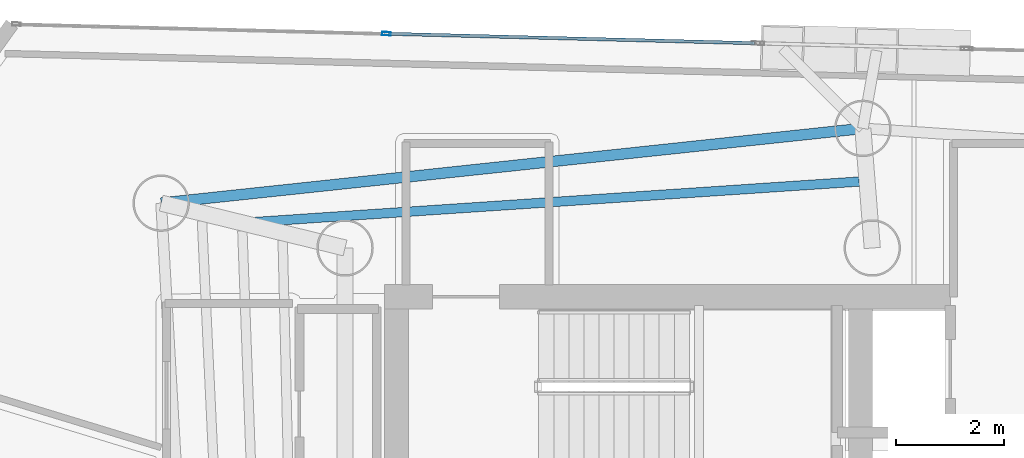
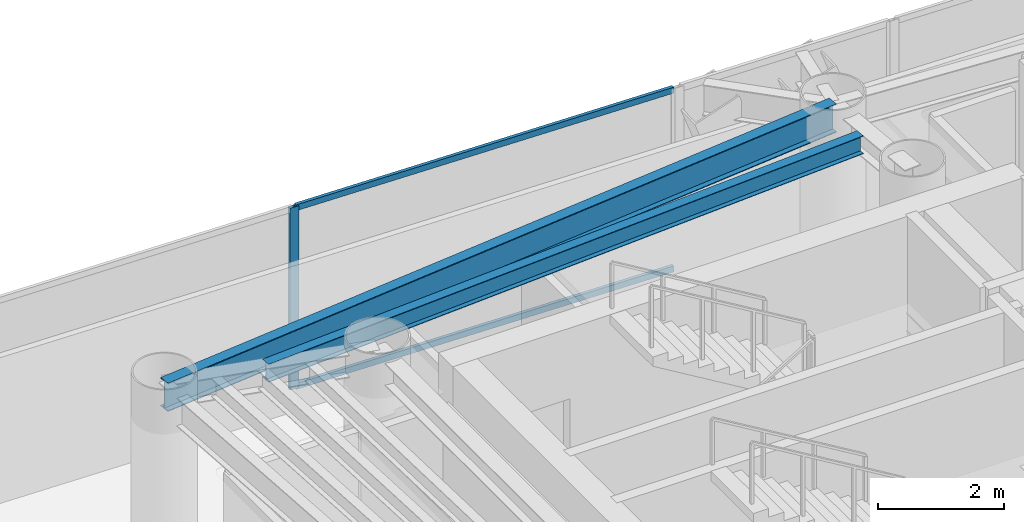
# One storey, part 9 of 21: 3 members, 2 beams, 1 element without a shape of its own.
"""IFC4 building model written with IfcOpenShell, lengths in metres."""

from ifc_helpers import new_model, si_unit, direction, frame, origin, origin_2d, place, context, subcontext, project, spatial, hollow_rectangle, i_section, extrude, material, layer, layer_set, material_profile, profile_set, type_object, element, aggregate, save


model = new_model("IFC4")

# Units and contexts
model_context = context("Model", 3, precision=1e-05, world=origin(), true_north=direction((0.0, 1.0)))
body_context = subcontext(model_context, "Body", "Model", "MODEL_VIEW")
ifc_project = project(units=[si_unit("LENGTHUNIT", "METRE"), si_unit("AREAUNIT", "SQUARE_METRE"), si_unit("VOLUMEUNIT", "CUBIC_METRE"), si_unit("PLANEANGLEUNIT", "RADIAN"), si_unit("MASSUNIT", "GRAM", prefix="KILO")], contexts=[model_context])

# Site, building, storey
site_placement = place(None, origin())
site = spatial("IfcSite", under=ifc_project, at=site_placement, CompositionType="ELEMENT")
building_placement = place(site_placement, origin())
building = spatial("IfcBuilding", under=site, at=building_placement, Name="Qianvela Tower", CompositionType="ELEMENT")
storey_placement = place(building_placement, frame((0.0, 0.0, 246.39990234375)))
storey = spatial("IfcBuildingStorey", under=building, at=storey_placement, Name="L63", CompositionType="ELEMENT", Elevation=246.39990234375)

# Beams
ifc_material_1 = material(Name="Steel Q355B", Category="steel")
ifc_material_profile_1 = material_profile(ifc_material_1, i_section(OverallWidth=0.175048828125, OverallDepth=0.35009765625, WebThickness=0.007080078125, FlangeThickness=0.010986328125, at=origin_2d()), Name="HN350x175x7x11")
ifc_profile_set_1 = profile_set([ifc_material_profile_1], Name="Steel Q355B")
beam_type_1 = type_object("IfcBeamType", Name="BM-HN350-JOIST", PredefinedType="JOIST", material=ifc_profile_set_1)
beam_1_placement = place(storey_placement, frame((38.15625, 34.78515625, 3.343017578125), z_axis=(-0.99776569919, -0.066810250112, 0.0), x_axis=(0.066810250112, -0.99776569919, 0.0)))
element("IfcBeam", 1, at=beam_1_placement, inside=storey, type_object=beam_type_1, Name="L63 Secondary Composite Floor Joist 2.2", PredefinedType="JOIST", context=body_context, shape_type="SweptSolid", body=[
    extrude(i_section(OverallWidth=0.175048828125, OverallDepth=0.35009765625, WebThickness=0.007080078125, FlangeThickness=0.010986328125, at=origin_2d()), origin(), (0.0, 0.0, 1.0), 11.35009765625),
])
ifc_material_2 = material(Name="Steel Q355B", Category="steel")
ifc_material_profile_2 = material_profile(ifc_material_2, i_section(OverallWidth=0.199951171875, OverallDepth=0.550048828125, WebThickness=0.010009765625, FlangeThickness=0.01611328125, at=origin_2d()), Name="HN550x200x10x16")
ifc_profile_set_2 = profile_set([ifc_material_profile_2], Name="Steel Q355B")
beam_type_2 = type_object("IfcBeamType", Name="BM-HN550-GIRD", PredefinedType="BEAM", material=ifc_profile_set_2)
beam_2_placement = place(storey_placement, frame((38.22509765625, 35.77294921875, 3.2431640625), z_axis=(-0.994378160395, -0.105887081975, 0.0), x_axis=(0.105887081975, -0.994378160395, 0.0)))
element("IfcBeam", 2, at=beam_2_placement, inside=storey, type_object=beam_type_2, Name="L63 Perimeter Ring Spandrel Girder 2", PredefinedType="BEAM", context=body_context, shape_type="SweptSolid", body=[
    extrude(i_section(OverallWidth=0.199951171875, OverallDepth=0.550048828125, WebThickness=0.010009765625, FlangeThickness=0.01611328125, at=origin_2d()), origin(), (0.0, 0.0, 1.0), 13.116943359375),
])

# Curtain wall, members
ifc_material_3 = material(Name="Anodised Architectural Aluminium and Low-E Glass", Category="aluminium")
ifc_layer = layer(ifc_material_3, 0.159912109375)
ifc_layer_set = layer_set([ifc_layer], Name="Anodised Architectural Aluminium and Low-E Glass")
curtain_wall_type = type_object("IfcCurtainWallType", Name="CW-COLIV-Z56", PredefinedType="USERDEFINED", material=ifc_layer_set)
curtain_wall_placement = place(storey_placement, origin())
curtain_wall = element("IfcCurtainWall", 3, at=curtain_wall_placement, inside=storey, type_object=curtain_wall_type, Name="L63 CW-COLIV-Z56 Curtain Wall 02C", ObjectType="CURTAIN_WALL_SYSTEM", PredefinedType="USERDEFINED")
ifc_material_4 = material(Name="Anodised Architectural Aluminium 6063-T6", Category="aluminium")
ifc_material_profile_3 = material_profile(ifc_material_4, hollow_rectangle(XDim=0.06494140625, YDim=0.159912109375, WallThickness=0.0048828125, at=origin_2d()), Name="ALU-MULL-65x160")
ifc_profile_set_3 = profile_set([ifc_material_profile_3], Name="Anodised Architectural Aluminium 6063-T6")
member_type_1 = type_object("IfcMemberType", Name="CW-COLIV-Z56-MULL", PredefinedType="MULLION", material=ifc_profile_set_3)
member_1_placement = place(storey_placement, frame((29.3671875, 37.532958984375, 0.0), z_axis=(0.0, 0.0, 1.0), x_axis=(-0.025705457951, -0.999669560121, 0.0)))
member_1 = element("IfcMember", 4, at=member_1_placement, type_object=member_type_1, Name="CW-5 mullion 2", PredefinedType="MULLION", context=body_context, shape_type="SweptSolid", body=[
    extrude(hollow_rectangle(XDim=0.06494140625, YDim=0.159912109375, WallThickness=0.0048828125, at=origin_2d()), origin(), (0.0, 0.0, 1.0), 3.52001953125),
])
ifc_material_5 = material(Name="Anodised Architectural Aluminium 6063-T6", Category="aluminium")
ifc_material_profile_4 = material_profile(ifc_material_5, hollow_rectangle(XDim=0.06005859375, YDim=0.114990234375, WallThickness=0.00390625, at=origin_2d()), Name="ALU-TRAN-60x115")
ifc_profile_set_4 = profile_set([ifc_material_profile_4], Name="Anodised Architectural Aluminium 6063-T6")
member_type_2 = type_object("IfcMemberType", Name="CW-COLIV-Z56-TRAN", PredefinedType="USERDEFINED", material=ifc_profile_set_4)
member_2_placement = place(storey_placement, frame((36.2109375, 37.35693359375, 0.030029296875), z_axis=(-0.999669898808, 0.025692283226, 0.0), x_axis=(-0.025692283226, -0.999669898808, 0.0)))
member_2 = element("IfcMember", 5, at=member_2_placement, type_object=member_type_2, Name="CW-5 transom 1.1", ObjectType="TRANSOM", PredefinedType="USERDEFINED", context=body_context, shape_type="SweptSolid", body=[
    extrude(hollow_rectangle(XDim=0.06005859375, YDim=0.114990234375, WallThickness=0.00390625, at=origin_2d()), origin(), (0.0, 0.0, 1.0), 6.813232421875),
])
member_3_placement = place(storey_placement, frame((36.2109375, 37.35693359375, 3.489990234375), z_axis=(-0.999669898808, 0.025692283226, 0.0), x_axis=(-0.025692283226, -0.999669898808, 0.0)))
member_3 = element("IfcMember", 6, at=member_3_placement, type_object=member_type_2, Name="CW-5 transom 1.2", ObjectType="TRANSOM", PredefinedType="USERDEFINED", context=body_context, shape_type="SweptSolid", body=[
    extrude(hollow_rectangle(XDim=0.06005859375, YDim=0.114990234375, WallThickness=0.00390625, at=origin_2d()), origin(), (0.0, 0.0, 1.0), 6.813232421875),
])
aggregate(curtain_wall, [member_1, member_2, member_3])

save(model, "model.ifc")
